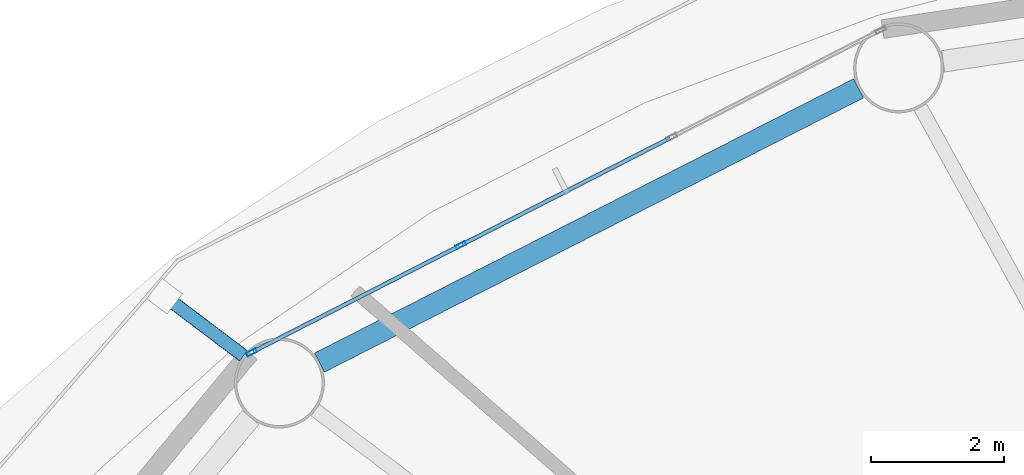
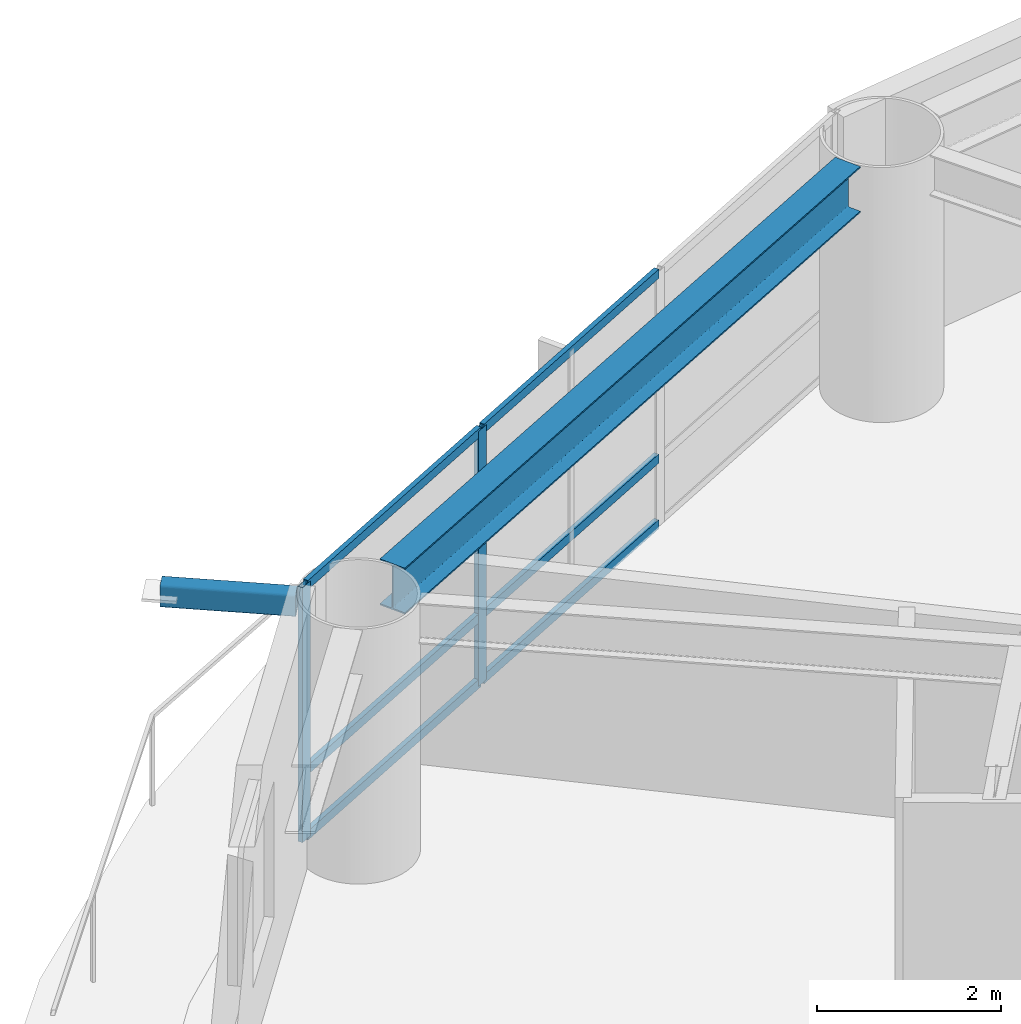
# One storey, part 8 of 24: 9 members, 1 beam, 1 element without a shape of its own.
"""IFC4 building model written with IfcOpenShell, lengths in metres."""

from ifc_helpers import new_model, si_unit, direction, frame, origin, origin_2d, place, context, subcontext, project, spatial, hollow_rectangle, i_section, extrude, material, layer, layer_set, material_profile, profile_set, type_object, element, aggregate, save


model = new_model("IFC4")

# Units and contexts
model_context = context("Model", 3, precision=1e-05, world=origin(), true_north=direction((0.0, 1.0)))
body_context = subcontext(model_context, "Body", "Model", "MODEL_VIEW")
ifc_project = project(units=[si_unit("LENGTHUNIT", "METRE"), si_unit("AREAUNIT", "SQUARE_METRE"), si_unit("VOLUMEUNIT", "CUBIC_METRE"), si_unit("PLANEANGLEUNIT", "RADIAN"), si_unit("MASSUNIT", "GRAM", prefix="KILO")], contexts=[model_context])

# Site, building, storey
site_placement = place(None, origin())
site = spatial("IfcSite", under=ifc_project, at=site_placement, CompositionType="ELEMENT")
building_placement = place(site_placement, origin())
building = spatial("IfcBuilding", under=site, at=building_placement, Name="Sarneth Arch Tower", CompositionType="ELEMENT")
storey_placement = place(building_placement, frame((0.0, 0.0, 120.0)))
storey = spatial("IfcBuildingStorey", under=building, at=storey_placement, Name="L30", CompositionType="ELEMENT", Elevation=120.0)

# Beam
ifc_material_1 = material(Name="Steel S355", Category="steel")
ifc_material_profile_1 = material_profile(ifc_material_1, i_section(OverallWidth=0.323974609375, OverallDepth=0.611083984375, WebThickness=0.0126953125, FlangeThickness=0.01904296875, FilletRadius=0.01904296875, at=origin_2d()), Name="W610x155")
ifc_profile_set_1 = profile_set([ifc_material_profile_1], Name="Steel S355")
beam_type = type_object("IfcBeamType", Name="BM-SPAN-610B", PredefinedType="SPANDREL", material=ifc_profile_set_1)
beam_placement = place(storey_placement, frame((36.2880859375, 61.83447265625, 3.074462890625), z_axis=(-0.891255891792, -0.453500755619, 0.0), x_axis=(0.453500755619, -0.891255891792, 0.0)))
element("IfcBeam", 1, at=beam_placement, inside=storey, type_object=beam_type, Name="L30 Perimeter spandrel beam 06", PredefinedType="SPANDREL", context=body_context, shape_type="SweptSolid", body=[
    extrude(i_section(OverallWidth=0.323974609375, OverallDepth=0.611083984375, WebThickness=0.0126953125, FlangeThickness=0.01904296875, FilletRadius=0.01904296875, at=origin_2d()), origin(), (0.0, 0.0, 1.0), 9.070556640625),
])

# Curtain wall, members
ifc_material_2 = material(Name="Anodised aluminium Type AA25 and solar-control low-e laminated IGU", Category="aluminium")
ifc_layer = layer(ifc_material_2, 0.159912109375)
ifc_layer_set = layer_set([ifc_layer], Name="Anodised aluminium Type AA25 and solar-control low-e laminated IGU")
curtain_wall_type = type_object("IfcCurtainWallType", Name="CW-HOTEL-MID", PredefinedType="NOTDEFINED", material=ifc_layer_set)
curtain_wall_placement = place(storey_placement, origin())
curtain_wall = element("IfcCurtainWall", 2, at=curtain_wall_placement, inside=storey, type_object=curtain_wall_type, Name="L30 Unitised curtain wall facet 06", PredefinedType="NOTDEFINED")
ifc_material_3 = material(Name="Anodised Aluminium 6063-T6", Category="aluminium")
ifc_material_profile_2 = material_profile(ifc_material_3, hollow_rectangle(XDim=0.06005859375, YDim=0.159912109375, WallThickness=0.00390625, at=origin_2d()), Name="AL-MULL-160x60x4")
ifc_profile_set_2 = profile_set([ifc_material_profile_2], Name="Anodised Aluminium 6063-T6")
member_type_1 = type_object("IfcMemberType", Name="CW-MULLION", PredefinedType="MULLION", material=ifc_profile_set_2)
member_1_placement = place(storey_placement, frame((30.322998046875, 59.481201171875, 0.0), z_axis=(0.0, 0.0, 1.0), x_axis=(0.456031365356, -0.889963703649, 0.0)))
member_1 = element("IfcMember", 3, at=member_1_placement, type_object=member_type_1, Name="CW-SYS-4 mullion 3", PredefinedType="MULLION", context=body_context, shape_type="SweptSolid", body=[
    extrude(hollow_rectangle(XDim=0.06005859375, YDim=0.159912109375, WallThickness=0.00390625, at=origin_2d()), origin(), (0.0, 0.0, 1.0), 3.3798828125),
])
member_2_placement = place(storey_placement, frame((27.186767578125, 57.8740234375, 0.0), z_axis=(0.0, 0.0, 1.0), x_axis=(0.456031365356, -0.889963703649, 0.0)))
member_2 = element("IfcMember", 4, at=member_2_placement, type_object=member_type_1, Name="CW-SYS-4 mullion 4", PredefinedType="MULLION", context=body_context, shape_type="SweptSolid", body=[
    extrude(hollow_rectangle(XDim=0.06005859375, YDim=0.159912109375, WallThickness=0.00390625, at=origin_2d()), origin(), (0.0, 0.0, 1.0), 3.3798828125),
])
ifc_material_4 = material(Name="Anodised Aluminium 6063-T6", Category="aluminium")
ifc_material_profile_3 = material_profile(ifc_material_4, hollow_rectangle(XDim=0.06005859375, YDim=0.1201171875, WallThickness=0.00390625, at=origin_2d()), Name="AL-TRAN-120x60x4")
ifc_profile_set_3 = profile_set([ifc_material_profile_3], Name="Anodised Aluminium 6063-T6")
member_type_2 = type_object("IfcMemberType", Name="CW-TRANSOM", PredefinedType="USERDEFINED", material=ifc_profile_set_3)
member_3_placement = place(storey_placement, frame((33.459228515625, 61.088134765625, 0.030029296875), z_axis=(-0.889981813856, -0.455996020823, 0.0), x_axis=(0.455996020823, -0.889981813856, 0.0)))
member_3 = element("IfcMember", 5, at=member_3_placement, type_object=member_type_2, Name="CW-SYS-4 transom 2.1", ObjectType="TRANSOM", PredefinedType="USERDEFINED", context=body_context, shape_type="SweptSolid", body=[
    extrude(hollow_rectangle(XDim=0.06005859375, YDim=0.1201171875, WallThickness=0.00390625, at=origin_2d()), origin(), (0.0, 0.0, 1.0), 3.494140625),
])
member_4_placement = place(storey_placement, frame((33.459228515625, 61.088134765625, 0.89990234375), z_axis=(-0.889981813856, -0.455996020823, 0.0), x_axis=(0.455996020823, -0.889981813856, 0.0)))
member_4 = element("IfcMember", 6, at=member_4_placement, type_object=member_type_2, Name="CW-SYS-4 transom 2.2", ObjectType="TRANSOM", PredefinedType="USERDEFINED", context=body_context, shape_type="SweptSolid", body=[
    extrude(hollow_rectangle(XDim=0.06005859375, YDim=0.1201171875, WallThickness=0.00390625, at=origin_2d()), origin(), (0.0, 0.0, 1.0), 3.494140625),
])
member_5_placement = place(storey_placement, frame((33.459228515625, 61.088134765625, 3.35009765625), z_axis=(-0.889981813856, -0.455996020823, 0.0), x_axis=(0.455996020823, -0.889981813856, 0.0)))
member_5 = element("IfcMember", 7, at=member_5_placement, type_object=member_type_2, Name="CW-SYS-4 transom 2.3", ObjectType="TRANSOM", PredefinedType="USERDEFINED", context=body_context, shape_type="SweptSolid", body=[
    extrude(hollow_rectangle(XDim=0.06005859375, YDim=0.1201171875, WallThickness=0.00390625, at=origin_2d()), origin(), (0.0, 0.0, 1.0), 3.494140625),
])
member_6_placement = place(storey_placement, frame((30.296142578125, 59.467529296875, 0.030029296875), z_axis=(-0.889942905184, -0.456071952122, 0.0), x_axis=(0.456071952122, -0.889942905184, 0.0)))
member_6 = element("IfcMember", 8, at=member_6_placement, type_object=member_type_2, Name="CW-SYS-4 transom 3.1", ObjectType="TRANSOM", PredefinedType="USERDEFINED", context=body_context, shape_type="SweptSolid", body=[
    extrude(hollow_rectangle(XDim=0.06005859375, YDim=0.1201171875, WallThickness=0.00390625, at=origin_2d()), origin(), (0.0, 0.0, 1.0), 3.464111328125),
])
member_7_placement = place(storey_placement, frame((30.296142578125, 59.467529296875, 0.89990234375), z_axis=(-0.889942905184, -0.456071952122, 0.0), x_axis=(0.456071952122, -0.889942905184, 0.0)))
member_7 = element("IfcMember", 9, at=member_7_placement, type_object=member_type_2, Name="CW-SYS-4 transom 3.2", ObjectType="TRANSOM", PredefinedType="USERDEFINED", context=body_context, shape_type="SweptSolid", body=[
    extrude(hollow_rectangle(XDim=0.06005859375, YDim=0.1201171875, WallThickness=0.00390625, at=origin_2d()), origin(), (0.0, 0.0, 1.0), 3.464111328125),
])
member_8_placement = place(storey_placement, frame((30.296142578125, 59.467529296875, 3.35009765625), z_axis=(-0.889942905184, -0.456071952122, 0.0), x_axis=(0.456071952122, -0.889942905184, 0.0)))
member_8 = element("IfcMember", 10, at=member_8_placement, type_object=member_type_2, Name="CW-SYS-4 transom 3.3", ObjectType="TRANSOM", PredefinedType="USERDEFINED", context=body_context, shape_type="SweptSolid", body=[
    extrude(hollow_rectangle(XDim=0.06005859375, YDim=0.1201171875, WallThickness=0.00390625, at=origin_2d()), origin(), (0.0, 0.0, 1.0), 3.464111328125),
])
aggregate(curtain_wall, [member_1, member_2, member_3, member_4, member_5, member_6, member_7, member_8])

# Member
ifc_material_5 = material(Name="Steel S355", Category="steel")
ifc_material_profile_4 = material_profile(ifc_material_5, hollow_rectangle(XDim=0.199951171875, YDim=0.300048828125, WallThickness=0.012451171875, InnerFilletRadius=0.018798828125, OuterFilletRadius=0.03125, at=origin_2d()), Name="RHS300x200x12.5")
ifc_profile_set_4 = profile_set([ifc_material_profile_4], Name="Steel S355")
member_type_3 = type_object("IfcMemberType", Name="MEM-CANT-STRUT", PredefinedType="STRUT", material=ifc_profile_set_4)
member_9_placement = place(storey_placement, frame((27.063720703125, 57.822021484375, 3.219970703125), z_axis=(-0.797802225535, 0.602919239145, 0.0), x_axis=(-0.602919239145, -0.797802225535, 0.0)))
element("IfcMember", 11, at=member_9_placement, inside=storey, type_object=member_type_3, Name="L30 Balcony cantilever bracket 07", PredefinedType="STRUT", context=body_context, shape_type="SweptSolid", body=[
    extrude(hollow_rectangle(XDim=0.199951171875, YDim=0.300048828125, WallThickness=0.012451171875, InnerFilletRadius=0.018798828125, OuterFilletRadius=0.03125, at=origin_2d()), origin(), (0.0, 0.0, 1.0), 1.483154296875),
])

save(model, "model.ifc")
